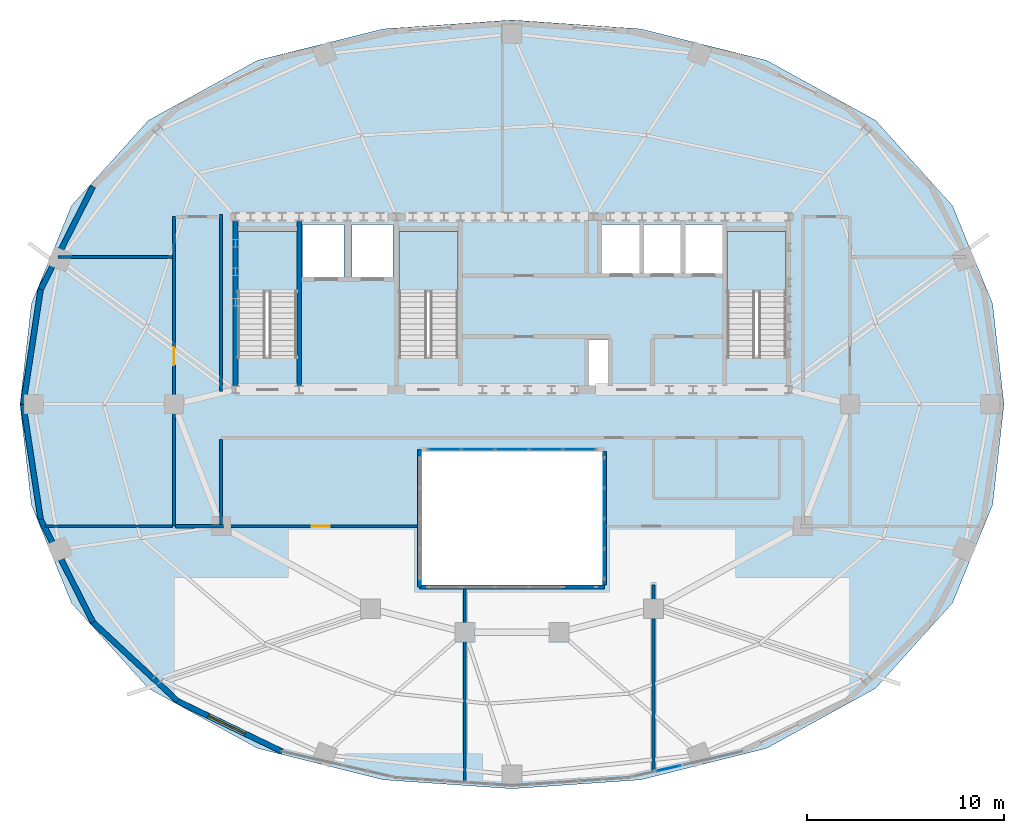
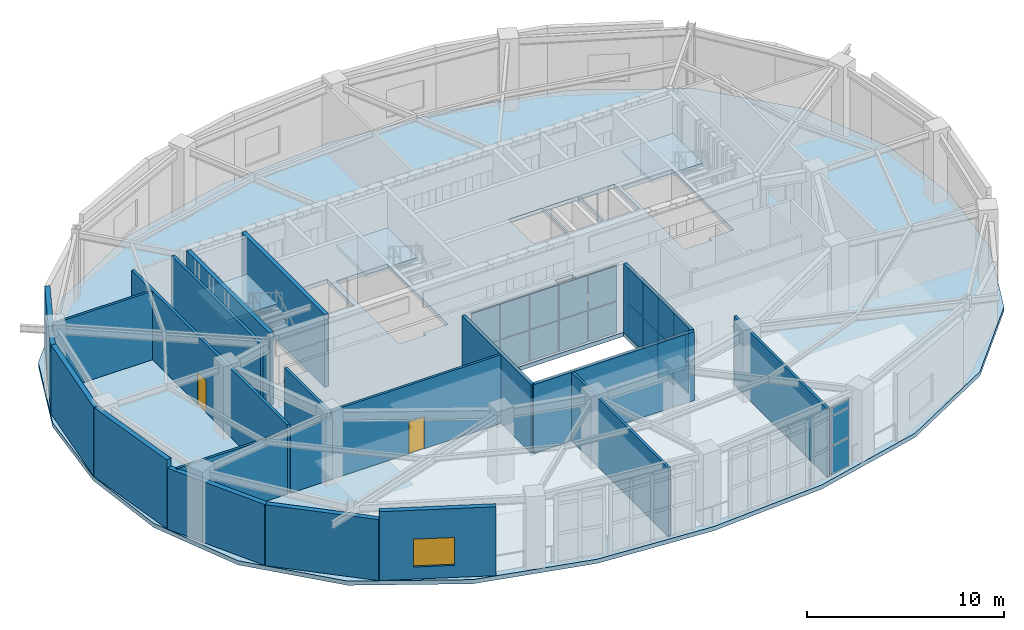
# One storey, part 7 of 11: 22 plates, 20 walls, 4 slabs, 2 doors, 1 window, 3 openings, 7 elements without a shape of their own.
"""IFC4 building model written with IfcOpenShell, lengths in metres."""

from ifc_helpers import new_model, si_unit, direction, frame, frame_2d, origin, origin_2d, place, context, subcontext, project, spatial, polyline, rectangle, outline, extrude, material, layer, layer_set, type_object, element, fill, aggregate, save


model = new_model("IFC4")

# Units and contexts
model_context = context("Model", 3, precision=1e-05, world=origin(), true_north=direction((0.0, 1.0)))
body_context = subcontext(model_context, "Body", "Model", "MODEL_VIEW")
ifc_project = project(units=[si_unit("LENGTHUNIT", "METRE"), si_unit("AREAUNIT", "SQUARE_METRE"), si_unit("VOLUMEUNIT", "CUBIC_METRE"), si_unit("PLANEANGLEUNIT", "RADIAN"), si_unit("MASSUNIT", "GRAM", prefix="KILO")], contexts=[model_context])

# Site, building, storey
site_placement = place(None, origin())
site = spatial("IfcSite", under=ifc_project, at=site_placement, CompositionType="ELEMENT")
building_placement = place(site_placement, origin())
building = spatial("IfcBuilding", under=site, at=building_placement, Name="Haldorwick Loom Tower", CompositionType="ELEMENT")
storey_placement = place(building_placement, frame((0.0, 0.0, 247.800048828125)))
storey = spatial("IfcBuildingStorey", under=building, at=storey_placement, Name="L67", CompositionType="ELEMENT", Elevation=247.800048828125)

# Curtain wall, plate
ifc_material_1 = material(Name="Thermally Broken Anodized Aluminium Curtain Wall Framing", Category="aluminium")
curtain_wall_type_1 = type_object("IfcCurtainWallType", Name="ARC-CW-03", PredefinedType="NOTDEFINED", material=ifc_material_1)
curtain_wall_1_placement = place(storey_placement, origin())
curtain_wall_1 = element("IfcCurtainWall", 1, at=curtain_wall_1_placement, inside=storey, type_object=curtain_wall_type_1, Name="L67 Atrium Glazed Screen S", PredefinedType="NOTDEFINED")
ifc_material_2 = material(Name="Triple-Glazed Low-E Argon Insulated Glazing Unit", Category="glass")
ifc_layer_1 = layer(ifc_material_2, 0.04296875, Name="Triple-Glazed Low-E Argon Insulated Glazing Unit", Category="glass")
ifc_layer_set_1 = layer_set([ifc_layer_1], Name="Triple-Glazed Low-E Argon Insulated Glazing Unit")
plate_type_1 = type_object("IfcPlateType", Name="ARC-CWP-03", PredefinedType="CURTAIN_PANEL", material=ifc_layer_set_1)
plate_1_placement = place(storey_placement, frame((39.423583984375, 16.699951171875, 2.033203125), z_axis=(0.0, 0.0, 1.0), x_axis=(-1.0, 0.0, 0.0)))
plate_1 = element("IfcPlate", 2, at=plate_1_placement, type_object=plate_type_1, Name="CW-03 panel 1.2", PredefinedType="CURTAIN_PANEL", context=body_context, shape_type="SweptSolid", body=[
    extrude(rectangle(XDim=1.62109375, YDim=0.04296875, at=origin_2d()), origin(), (0.0, 0.0, 1.0), 2.160888671875),
])
aggregate(curtain_wall_1, [plate_1])

# Curtain wall, plates
curtain_wall_2_placement = place(storey_placement, origin())
curtain_wall_2 = element("IfcCurtainWall", 3, at=curtain_wall_2_placement, inside=storey, type_object=curtain_wall_type_1, Name="L67 Atrium Glazed Screen N", PredefinedType="NOTDEFINED")
plate_2_placement = place(storey_placement, frame((32.576416015625, 23.699951171875, 0.06591796875), z_axis=(0.0, 0.0, 1.0), x_axis=(1.0, 0.0, 0.0)))
plate_2 = element("IfcPlate", 4, at=plate_2_placement, type_object=plate_type_1, Name="CW-03 panel 1.1", PredefinedType="CURTAIN_PANEL", context=body_context, shape_type="SweptSolid", body=[
    extrude(rectangle(XDim=1.62109375, YDim=0.04296875, at=origin_2d()), origin(), (0.0, 0.0, 1.0), 1.90087890625),
])
plate_3_placement = place(storey_placement, frame((32.576416015625, 23.699951171875, 2.033203125), z_axis=(0.0, 0.0, 1.0), x_axis=(1.0, 0.0, 0.0)))
plate_3 = element("IfcPlate", 5, at=plate_3_placement, type_object=plate_type_1, Name="CW-03 panel 1.2", PredefinedType="CURTAIN_PANEL", context=body_context, shape_type="SweptSolid", body=[
    extrude(rectangle(XDim=1.62109375, YDim=0.04296875, at=origin_2d()), origin(), (0.0, 0.0, 1.0), 2.160888671875),
])
plate_4_placement = place(storey_placement, frame((34.280029296875, 23.699951171875, 0.06591796875), z_axis=(0.0, 0.0, 1.0), x_axis=(1.0, 0.0, 0.0)))
plate_4 = element("IfcPlate", 6, at=plate_4_placement, type_object=plate_type_1, Name="CW-03 panel 2.1", PredefinedType="CURTAIN_PANEL", context=body_context, shape_type="SweptSolid", body=[
    extrude(rectangle(XDim=1.654052734375, YDim=0.04296875, at=origin_2d()), origin(), (0.0, 0.0, 1.0), 1.90087890625),
])
plate_5_placement = place(storey_placement, frame((34.280029296875, 23.699951171875, 2.033203125), z_axis=(0.0, 0.0, 1.0), x_axis=(1.0, 0.0, 0.0)))
plate_5 = element("IfcPlate", 7, at=plate_5_placement, type_object=plate_type_1, Name="CW-03 panel 2.2", PredefinedType="CURTAIN_PANEL", context=body_context, shape_type="SweptSolid", body=[
    extrude(rectangle(XDim=1.654052734375, YDim=0.04296875, at=origin_2d()), origin(), (0.0, 0.0, 1.0), 2.160888671875),
])
plate_6_placement = place(storey_placement, frame((36.0, 23.699951171875, 0.06591796875), z_axis=(0.0, 0.0, 1.0), x_axis=(1.0, 0.0, 0.0)))
plate_6 = element("IfcPlate", 8, at=plate_6_placement, type_object=plate_type_1, Name="CW-03 panel 3.1", PredefinedType="CURTAIN_PANEL", context=body_context, shape_type="SweptSolid", body=[
    extrude(rectangle(XDim=1.654052734375, YDim=0.04296875, at=origin_2d()), origin(), (0.0, 0.0, 1.0), 1.90087890625),
])
plate_7_placement = place(storey_placement, frame((36.0, 23.699951171875, 2.033203125), z_axis=(0.0, 0.0, 1.0), x_axis=(1.0, 0.0, 0.0)))
plate_7 = element("IfcPlate", 9, at=plate_7_placement, type_object=plate_type_1, Name="CW-03 panel 3.2", PredefinedType="CURTAIN_PANEL", context=body_context, shape_type="SweptSolid", body=[
    extrude(rectangle(XDim=1.654052734375, YDim=0.04296875, at=origin_2d()), origin(), (0.0, 0.0, 1.0), 2.160888671875),
])
plate_8_placement = place(storey_placement, frame((37.719970703125, 23.699951171875, 0.06591796875), z_axis=(0.0, 0.0, 1.0), x_axis=(1.0, 0.0, 0.0)))
plate_8 = element("IfcPlate", 10, at=plate_8_placement, type_object=plate_type_1, Name="CW-03 panel 4.1", PredefinedType="CURTAIN_PANEL", context=body_context, shape_type="SweptSolid", body=[
    extrude(rectangle(XDim=1.654052734375, YDim=0.04296875, at=origin_2d()), origin(), (0.0, 0.0, 1.0), 1.90087890625),
])
plate_9_placement = place(storey_placement, frame((37.719970703125, 23.699951171875, 2.033203125), z_axis=(0.0, 0.0, 1.0), x_axis=(1.0, 0.0, 0.0)))
plate_9 = element("IfcPlate", 11, at=plate_9_placement, type_object=plate_type_1, Name="CW-03 panel 4.2", PredefinedType="CURTAIN_PANEL", context=body_context, shape_type="SweptSolid", body=[
    extrude(rectangle(XDim=1.654052734375, YDim=0.04296875, at=origin_2d()), origin(), (0.0, 0.0, 1.0), 2.160888671875),
])
plate_10_placement = place(storey_placement, frame((39.423583984375, 23.699951171875, 0.06591796875), z_axis=(0.0, 0.0, 1.0), x_axis=(1.0, 0.0, 0.0)))
plate_10 = element("IfcPlate", 12, at=plate_10_placement, type_object=plate_type_1, Name="CW-03 panel 5.1", PredefinedType="CURTAIN_PANEL", context=body_context, shape_type="SweptSolid", body=[
    extrude(rectangle(XDim=1.62109375, YDim=0.04296875, at=origin_2d()), origin(), (0.0, 0.0, 1.0), 1.90087890625),
])
plate_11_placement = place(storey_placement, frame((39.423583984375, 23.699951171875, 2.033203125), z_axis=(0.0, 0.0, 1.0), x_axis=(1.0, 0.0, 0.0)))
plate_11 = element("IfcPlate", 13, at=plate_11_placement, type_object=plate_type_1, Name="CW-03 panel 5.2", PredefinedType="CURTAIN_PANEL", context=body_context, shape_type="SweptSolid", body=[
    extrude(rectangle(XDim=1.62109375, YDim=0.04296875, at=origin_2d()), origin(), (0.0, 0.0, 1.0), 2.160888671875),
])
aggregate(curtain_wall_2, [plate_2, plate_3, plate_4, plate_5, plate_6, plate_7, plate_8, plate_9, plate_10, plate_11])

curtain_wall_3_placement = place(storey_placement, origin())
curtain_wall_3 = element("IfcCurtainWall", 14, at=curtain_wall_3_placement, inside=storey, type_object=curtain_wall_type_1, Name="L67 Atrium Glazed Screen E", PredefinedType="NOTDEFINED")
plate_12_placement = place(storey_placement, frame((40.699951171875, 22.508544921875, 0.06591796875), z_axis=(0.0, 0.0, 1.0), x_axis=(0.0, -1.0, 0.0)))
plate_12 = element("IfcPlate", 15, at=plate_12_placement, type_object=plate_type_1, Name="CW-03 panel 1.1", PredefinedType="CURTAIN_PANEL", context=body_context, shape_type="SweptSolid", body=[
    extrude(rectangle(XDim=1.450927734375, YDim=0.04296875, at=origin_2d()), origin(), (0.0, 0.0, 1.0), 1.90087890625),
])
plate_13_placement = place(storey_placement, frame((40.699951171875, 22.508544921875, 2.033203125), z_axis=(0.0, 0.0, 1.0), x_axis=(0.0, -1.0, 0.0)))
plate_13 = element("IfcPlate", 16, at=plate_13_placement, type_object=plate_type_1, Name="CW-03 panel 1.2", PredefinedType="CURTAIN_PANEL", context=body_context, shape_type="SweptSolid", body=[
    extrude(rectangle(XDim=1.450927734375, YDim=0.04296875, at=origin_2d()), origin(), (0.0, 0.0, 1.0), 2.160888671875),
])
plate_14_placement = place(storey_placement, frame((40.699951171875, 20.97509765625, 0.06591796875), z_axis=(0.0, 0.0, 1.0), x_axis=(0.0, -1.0, 0.0)))
plate_14 = element("IfcPlate", 17, at=plate_14_placement, type_object=plate_type_1, Name="CW-03 panel 2.1", PredefinedType="CURTAIN_PANEL", context=body_context, shape_type="SweptSolid", body=[
    extrude(rectangle(XDim=1.48388671875, YDim=0.04296875, at=origin_2d()), origin(), (0.0, 0.0, 1.0), 1.90087890625),
])
plate_15_placement = place(storey_placement, frame((40.699951171875, 20.97509765625, 2.033203125), z_axis=(0.0, 0.0, 1.0), x_axis=(0.0, -1.0, 0.0)))
plate_15 = element("IfcPlate", 18, at=plate_15_placement, type_object=plate_type_1, Name="CW-03 panel 2.2", PredefinedType="CURTAIN_PANEL", context=body_context, shape_type="SweptSolid", body=[
    extrude(rectangle(XDim=1.48388671875, YDim=0.04296875, at=origin_2d()), origin(), (0.0, 0.0, 1.0), 2.160888671875),
])
plate_16_placement = place(storey_placement, frame((40.699951171875, 19.425048828125, 0.06591796875), z_axis=(0.0, 0.0, 1.0), x_axis=(0.0, -1.0, 0.0)))
plate_16 = element("IfcPlate", 19, at=plate_16_placement, type_object=plate_type_1, Name="CW-03 panel 3.1", PredefinedType="CURTAIN_PANEL", context=body_context, shape_type="SweptSolid", body=[
    extrude(rectangle(XDim=1.48388671875, YDim=0.04296875, at=origin_2d()), origin(), (0.0, 0.0, 1.0), 1.90087890625),
])
plate_17_placement = place(storey_placement, frame((40.699951171875, 19.425048828125, 2.033203125), z_axis=(0.0, 0.0, 1.0), x_axis=(0.0, -1.0, 0.0)))
plate_17 = element("IfcPlate", 20, at=plate_17_placement, type_object=plate_type_1, Name="CW-03 panel 3.2", PredefinedType="CURTAIN_PANEL", context=body_context, shape_type="SweptSolid", body=[
    extrude(rectangle(XDim=1.48388671875, YDim=0.04296875, at=origin_2d()), origin(), (0.0, 0.0, 1.0), 2.160888671875),
])
plate_18_placement = place(storey_placement, frame((40.699951171875, 17.8916015625, 0.06591796875), z_axis=(0.0, 0.0, 1.0), x_axis=(0.0, -1.0, 0.0)))
plate_18 = element("IfcPlate", 21, at=plate_18_placement, type_object=plate_type_1, Name="CW-03 panel 4.1", PredefinedType="CURTAIN_PANEL", context=body_context, shape_type="SweptSolid", body=[
    extrude(rectangle(XDim=1.450927734375, YDim=0.04296875, at=origin_2d()), origin(), (0.0, 0.0, 1.0), 1.90087890625),
])
plate_19_placement = place(storey_placement, frame((40.699951171875, 17.8916015625, 2.033203125), z_axis=(0.0, 0.0, 1.0), x_axis=(0.0, -1.0, 0.0)))
plate_19 = element("IfcPlate", 22, at=plate_19_placement, type_object=plate_type_1, Name="CW-03 panel 4.2", PredefinedType="CURTAIN_PANEL", context=body_context, shape_type="SweptSolid", body=[
    extrude(rectangle(XDim=1.450927734375, YDim=0.04296875, at=origin_2d()), origin(), (0.0, 0.0, 1.0), 2.160888671875),
])
aggregate(curtain_wall_3, [plate_12, plate_13, plate_14, plate_15, plate_16, plate_17, plate_18, plate_19])

curtain_wall_type_2 = type_object("IfcCurtainWallType", Name="ARC-CW-05", PredefinedType="NOTDEFINED", material=ifc_material_1)
curtain_wall_4_placement = place(storey_placement, origin())
curtain_wall_4 = element("IfcCurtainWall", 23, at=curtain_wall_4_placement, inside=storey, type_object=curtain_wall_type_2, Name="L67 Facade Curtain Wall CW-05 Bay 20", PredefinedType="NOTDEFINED")
ifc_layer_2 = layer(ifc_material_2, 0.049072265625, Name="Triple-Glazed Low-E Argon Insulated Glazing Unit", Category="glass")
ifc_layer_set_2 = layer_set([ifc_layer_2], Name="Triple-Glazed Low-E Argon Insulated Glazing Unit")
plate_type_2 = type_object("IfcPlateType", Name="ARC-CWP-05", PredefinedType="CURTAIN_PANEL", material=ifc_layer_set_2)
plate_20_placement = place(storey_placement, frame((43.9677734375, 7.476806640625, 0.06787109375), z_axis=(0.0, 0.0, 1.0), x_axis=(0.974600956604, 0.223948599878, 0.0)))
plate_20 = element("IfcPlate", 24, at=plate_20_placement, type_object=plate_type_2, Name="CW-05 panel 2.1", PredefinedType="CURTAIN_PANEL", context=body_context, shape_type="SweptSolid", body=[
    extrude(rectangle(XDim=1.217041015625, YDim=0.049072265625, at=origin_2d()), origin(), (0.0, 0.0, 1.0), 1.748046875),
])
plate_21_placement = place(storey_placement, frame((43.9677734375, 7.476806640625, 1.8837890625), z_axis=(0.0, 0.0, 1.0), x_axis=(0.974600956604, 0.223948599878, 0.0)))
plate_21 = element("IfcPlate", 25, at=plate_21_placement, type_object=plate_type_2, Name="CW-05 panel 2.2", PredefinedType="CURTAIN_PANEL", context=body_context, shape_type="SweptSolid", body=[
    extrude(rectangle(XDim=1.217041015625, YDim=0.049072265625, at=origin_2d()), origin(), (0.0, 0.0, 1.0), 1.781982421875),
])
plate_22_placement = place(storey_placement, frame((43.9677734375, 7.476806640625, 3.73388671875), z_axis=(0.0, 0.0, 1.0), x_axis=(0.974600956604, 0.223948599878, 0.0)))
plate_22 = element("IfcPlate", 26, at=plate_22_placement, type_object=plate_type_2, Name="CW-05 panel 2.3", PredefinedType="CURTAIN_PANEL", context=body_context, shape_type="SweptSolid", body=[
    extrude(rectangle(XDim=1.217041015625, YDim=0.049072265625, at=origin_2d()), origin(), (0.0, 0.0, 1.0), 0.4580078125),
])
aggregate(curtain_wall_4, [plate_20, plate_21, plate_22])

# Slab
ifc_material_3 = material(Name="Concrete C40 (40 MPa)", Category="concrete")
ifc_layer_3 = layer(ifc_material_3, 0.260009765625, Name="Concrete C40 (40 MPa)", Category="concrete")
ifc_layer_set_3 = layer_set([ifc_layer_3], Name="Concrete C40 (40 MPa)")
slab_type_1 = type_object("IfcSlabType", Name="STR-SLB-COMM260", PredefinedType="FLOOR", material=ifc_layer_set_3)
slab_1_placement = place(storey_placement, frame((0.0, 0.0, -0.260009765625)))
element("IfcSlab", 27, at=slab_1_placement, inside=storey, type_object=slab_type_1, Name="L67 Community Sky-Floor Slab", PredefinedType="FLOOR", context=body_context, shape_type="SweptSolid", body=[
    extrude(outline(polyline([(54.500244140625, 11.546630859375), (58.4140625, 15.889892578125), (60.455810546875, 20.880615234375), (61.036865234375, 26.0), (60.455810546875, 31.119384765625), (58.4140625, 36.110107421875), (54.500244140625, 40.453369140625), (48.94091796875, 43.510986328125), (42.552978515625, 45.10595703125), (36.0, 45.56005859375), (29.447021484375, 45.10595703125), (23.05908203125, 43.510986328125), (17.499755859375, 40.453369140625), (13.5859375, 36.110107421875), (11.544189453125, 31.119384765625), (10.963134765625, 26.0), (11.544189453125, 20.880615234375), (13.5859375, 15.889892578125), (17.499755859375, 11.546630859375), (23.05908203125, 8.489013671875), (29.447021484375, 6.89404296875), (36.0, 6.43994140625), (42.552978515625, 6.89404296875), (48.94091796875, 8.489013671875), (54.500244140625, 11.546630859375)]), holes=[polyline([(31.39990234375, 16.800048828125), (31.39990234375, 23.60009765625), (40.60009765625, 23.60009765625), (40.60009765625, 16.800048828125), (31.39990234375, 16.800048828125)]), polyline([(40.89990234375, 26.89990234375), (39.89990234375, 26.89990234375), (39.89990234375, 29.300048828125), (40.89990234375, 29.300048828125), (40.89990234375, 26.89990234375)]), polyline([(23.6201171875, 28.39990234375), (22.050048828125, 28.39990234375), (22.050048828125, 34.800048828125), (25.050048828125, 34.800048828125), (25.050048828125, 28.639892578125), (23.6201171875, 28.639892578125), (23.6201171875, 28.39990234375)]), polyline([(30.25, 28.39990234375), (30.25, 34.800048828125), (33.25, 34.800048828125), (33.25, 28.639892578125), (31.820068359375, 28.639892578125), (31.820068359375, 28.39990234375), (30.25, 28.39990234375)]), polyline([(46.949951171875, 28.39990234375), (46.949951171875, 34.800048828125), (49.949951171875, 34.800048828125), (49.949951171875, 28.639892578125), (48.52001953125, 28.639892578125), (48.52001953125, 28.39990234375), (46.949951171875, 28.39990234375)]), polyline([(27.449951171875, 32.449951171875), (25.35009765625, 32.449951171875), (25.35009765625, 35.14990234375), (27.449951171875, 35.14990234375), (27.449951171875, 32.449951171875)]), polyline([(29.949951171875, 32.449951171875), (27.85009765625, 32.449951171875), (27.85009765625, 35.14990234375), (29.949951171875, 35.14990234375), (29.949951171875, 32.449951171875)]), polyline([(42.550048828125, 32.64990234375), (40.550048828125, 32.64990234375), (40.550048828125, 35.14990234375), (42.550048828125, 35.14990234375), (42.550048828125, 32.64990234375)]), polyline([(42.64990234375, 32.64990234375), (42.64990234375, 35.14990234375), (44.64990234375, 35.14990234375), (44.64990234375, 32.64990234375), (42.64990234375, 32.64990234375)]), polyline([(44.75, 32.64990234375), (44.75, 35.14990234375), (46.75, 35.14990234375), (46.75, 32.64990234375), (44.75, 32.64990234375)])]), origin(), (0.0, 0.0, 1.0), 0.260009765625),
])

# Stair, slab
stair_type = type_object("IfcStairType", Name="STR-STR-CORE", PredefinedType="HALF_TURN_STAIR", material=ifc_material_3)
stair_1_placement = place(storey_placement, origin())
stair_1 = element("IfcStair", 28, at=stair_1_placement, inside=storey, type_object=stair_type, Name="L67 Exit Stair ST-01", PredefinedType="HALF_TURN_STAIR")
ifc_layer_4 = layer(ifc_material_3, 0.199951171875, Name="Concrete C40 (40 MPa)", Category="concrete")
ifc_layer_set_4 = layer_set([ifc_layer_4], Name="Concrete C40 (40 MPa)")
slab_type_2 = type_object("IfcSlabType", Name="STR-SLB-LAND200", PredefinedType="LANDING", material=ifc_layer_set_4)
slab_2_placement = place(storey_placement, frame((0.0, 0.0, 2.050048828125)))
slab_2 = element("IfcSlab", 29, at=slab_2_placement, type_object=slab_type_2, Name="ST-01 landing 1", PredefinedType="LANDING", context=body_context, shape_type="SweptSolid", body=[
    extrude(outline(polyline([(25.050048828125, 31.760009765625), (25.050048828125, 34.800048828125), (22.050048828125, 34.800048828125), (22.050048828125, 31.760009765625), (25.050048828125, 31.760009765625)])), origin(), (0.0, 0.0, 1.0), 0.199951171875),
])
aggregate(stair_1, [slab_2])

stair_2_placement = place(storey_placement, origin())
stair_2 = element("IfcStair", 30, at=stair_2_placement, inside=storey, type_object=stair_type, Name="L67 Exit Stair ST-02", PredefinedType="HALF_TURN_STAIR")
slab_3_placement = place(storey_placement, frame((0.0, 0.0, 2.050048828125)))
slab_3 = element("IfcSlab", 31, at=slab_3_placement, type_object=slab_type_2, Name="ST-02 landing 1", PredefinedType="LANDING", context=body_context, shape_type="SweptSolid", body=[
    extrude(outline(polyline([(49.949951171875, 31.760009765625), (49.949951171875, 34.800048828125), (46.949951171875, 34.800048828125), (46.949951171875, 31.760009765625), (49.949951171875, 31.760009765625)])), origin(), (0.0, 0.0, 1.0), 0.199951171875),
])
aggregate(stair_2, [slab_3])

stair_3_placement = place(storey_placement, origin())
stair_3 = element("IfcStair", 32, at=stair_3_placement, inside=storey, type_object=stair_type, Name="L67 Exit Stair ST-03", PredefinedType="HALF_TURN_STAIR")
slab_4_placement = place(storey_placement, frame((0.0, 0.0, 2.050048828125)))
slab_4 = element("IfcSlab", 33, at=slab_4_placement, type_object=slab_type_2, Name="ST-03 landing 1", PredefinedType="LANDING", context=body_context, shape_type="SweptSolid", body=[
    extrude(outline(polyline([(33.25, 31.760009765625), (33.25, 34.800048828125), (30.25, 34.800048828125), (30.25, 31.760009765625), (33.25, 31.760009765625)])), origin(), (0.0, 0.0, 1.0), 0.199951171875),
])
aggregate(stair_3, [slab_4])

# Walls
ifc_material_4 = material(Name="Pressed Clay Face Brick and Insulated Masonry Backup Assembly", Category="masonry")
ifc_layer_5 = layer(ifc_material_4, 0.280029296875, Name="Pressed Clay Face Brick and Insulated Masonry Backup Assembly", Category="masonry")
ifc_layer_set_5 = layer_set([ifc_layer_5], Name="Pressed Clay Face Brick and Insulated Masonry Backup Assembly")
wall_type_1 = type_object("IfcWallType", Name="ARC-WL-EXT280", PredefinedType="STANDARD", material=ifc_layer_set_5)
wall_1_placement = place(storey_placement, frame((14.677490234375, 37.08984375, 0.0), z_axis=(0.0, 0.0, 1.0), x_axis=(-0.453100705059, -0.89145933787, 0.0)))
element("IfcWall", 34, at=wall_1_placement, inside=storey, type_object=wall_type_1, Name="L67 Brick Pier and Spandrel Wall 11", PredefinedType="STANDARD", context=body_context, shape_type="SweptSolid", body=[
    extrude(rectangle(XDim=5.879150390625, YDim=0.280029296875, at=frame_2d((2.939453125, 0.0))), origin(), (0.0, 0.0, 1.0), 3.76904296875),
])
for number, where, z_axis, x_axis, name in (
    (35, (12.013671875, 31.848876953125, 0.0), (0.0, 0.0, 1.0), (-0.150497234153, -0.988610430105, 0.0), "L67 Brick Pier and Spandrel Wall 12"),
    (36, (11.123291015625, 26.0, 0.0), (0.0, 0.0, 1.0), (0.150497234153, -0.988610430105, 0.0), "L67 Brick Pier and Spandrel Wall 13"),
):
    element("IfcWall", number, at=place(storey_placement, frame(where, z_axis=z_axis, x_axis=x_axis)), inside=storey, type_object=wall_type_1, Name=name, PredefinedType="STANDARD", context=body_context, shape_type="SweptSolid", body=[
        extrude(rectangle(XDim=5.916259765625, YDim=0.280029296875, at=frame_2d((2.9580078125, 0.0))), origin(), (0.0, 0.0, 1.0), 4.260009765625),
    ])
wall_2_placement = place(storey_placement, frame((12.013671875, 20.151123046875, 0.0), z_axis=(0.0, 0.0, 1.0), x_axis=(0.453100705059, -0.89145933787, 0.0)))
element("IfcWall", 37, at=wall_2_placement, inside=storey, type_object=wall_type_1, Name="L67 Brick Pier and Spandrel Wall 14", PredefinedType="STANDARD", context=body_context, shape_type="SweptSolid", body=[
    extrude(rectangle(XDim=5.879150390625, YDim=0.280029296875, at=frame_2d((2.939453125, 0.0))), origin(), (0.0, 0.0, 1.0), 3.76904296875),
])
wall_3_placement = place(storey_placement, frame((14.677490234375, 14.91015625, 0.0), z_axis=(0.0, 0.0, 1.0), x_axis=(0.731924682982, -0.68138554317, 0.0)))
element("IfcWall", 38, at=wall_3_placement, inside=storey, type_object=wall_type_1, Name="L67 Brick Pier and Spandrel Wall 15", PredefinedType="STANDARD", context=body_context, shape_type="SweptSolid", body=[
    extrude(rectangle(XDim=5.87890625, YDim=0.280029296875, at=frame_2d((2.939453125, 0.0))), origin(), (0.0, 0.0, 1.0), 3.76904296875),
])

# Wall, opening, window
wall_4_placement = place(storey_placement, frame((18.98046875, 10.904296875, 0.0), z_axis=(0.0, 0.0, 1.0), x_axis=(0.900481907967, -0.434893473651, 0.0)))
wall_4 = element("IfcWall", 39, at=wall_4_placement, inside=storey, type_object=wall_type_1, Name="L67 Brick Pier and Spandrel Wall 16", PredefinedType="STANDARD", context=body_context, shape_type="SweptSolid", body=[
    extrude(rectangle(XDim=5.90966796875, YDim=0.280029296875, at=frame_2d((2.954833984375, 0.0))), origin(), (0.0, 0.0, 1.0), 4.260009765625),
])
opening_1_placement = place(wall_4_placement, frame((1.72412109375, 0.0, 0.75)))
opening_1 = element("IfcOpeningElement", 40, at=opening_1_placement, cuts=wall_4, Name="Opening W-04", PredefinedType="OPENING", context=body_context, shape_type="SweptSolid", body=[
    extrude(rectangle(XDim=2.10009765625, YDim=1.719970703125, at=frame_2d((1.050048828125, 0.85986328125))), frame((0.0, 0.14990234375, 0.0), z_axis=(0.0, -1.0, 0.0), x_axis=(1.0, 0.0, 0.0)), (0.0, 0.0, 1.0), 0.300048828125),
])
window_type = type_object("IfcWindowType", Name="ARC-WIN-W210", PartitioningType="SINGLE_PANEL", PredefinedType="WINDOW", material=ifc_material_2)
window_placement = place(opening_1_placement, origin())
window = element("IfcWindow", 41, at=window_placement, inside=storey, type_object=window_type, Name="L67 Deep-Set Zone 7A Window 16", OverallHeight=1.719970703125, OverallWidth=2.10009765625, PartitioningType="SINGLE_PANEL", PredefinedType="WINDOW", context=body_context, shape_type="SweptSolid", body=[
    extrude(rectangle(XDim=2.10009765625, YDim=1.719970703125, at=frame_2d((1.050048828125, 0.85986328125))), frame((0.0, 0.030029296875, 0.0), z_axis=(0.0, -1.0, 0.0), x_axis=(1.0, 0.0, 0.0)), (0.0, 0.0, 1.0), 0.06005859375),
])
fill(opening_1, window)

# Wall, opening, door
ifc_material_5 = material(Name="Fire-Rated Type X Gypsum Stud Assembly EI 60")
ifc_layer_6 = layer(ifc_material_5, 0.159912109375, Name="Fire-Rated Type X Gypsum Stud Assembly EI 60")
ifc_layer_set_6 = layer_set([ifc_layer_6], Name="Fire-Rated Type X Gypsum Stud Assembly EI 60")
wall_type_2 = type_object("IfcWallType", Name="ARC-WL-FIRE160", PredefinedType="PARTITIONING", material=ifc_layer_set_6)
wall_5_placement = place(storey_placement, frame((18.800048828125, 19.800048828125, 0.0), z_axis=(0.0, 0.0, 1.0), x_axis=(0.0, 1.0, 0.0)))
wall_5 = element("IfcWall", 42, at=wall_5_placement, inside=storey, type_object=wall_type_2, Name="L67 Interior Partition L67-CW0", PredefinedType="PARTITIONING", context=body_context, shape_type="SweptSolid", body=[
    extrude(rectangle(XDim=15.75, YDim=0.159912109375, at=frame_2d((7.875, 0.0))), origin(), (0.0, 0.0, 1.0), 4.244873046875),
])
opening_2_placement = place(wall_5_placement, frame((8.19482421875, 0.0, 0.0)))
opening_2 = element("IfcOpeningElement", 43, at=opening_2_placement, cuts=wall_5, Name="Opening D-FD60A", PredefinedType="OPENING", context=body_context, shape_type="SweptSolid", body=[
    extrude(rectangle(XDim=0.89990234375, YDim=2.0, at=frame_2d((0.449951171875, 1.0))), frame((0.0, 0.08984375, 0.0), z_axis=(0.0, -1.0, 0.0), x_axis=(1.0, 0.0, 0.0)), (0.0, 0.0, 1.0), 0.179931640625),
])
ifc_material_6 = material(Name="Hollow Steel Fire Door Assembly", Category="steel")
door_type = type_object("IfcDoorType", Name="ARC-DR-FD60-90", OperationType="NOTDEFINED", PredefinedType="DOOR", material=ifc_material_6)
door_1_placement = place(opening_2_placement, frame((0.89990234375, 0.0, 0.0), z_axis=(0.0, 0.0, 1.0), x_axis=(-1.0, 0.0, 0.0)))
door_1 = element("IfcDoor", 44, at=door_1_placement, inside=storey, type_object=door_type, Name="L67 High-Zone Arts Studio 6 to L67 Central Transfer Corridor Door", OperationType="SINGLE_SWING_RIGHT", OverallHeight=2.0, OverallWidth=0.89990234375, PredefinedType="DOOR", context=body_context, shape_type="SweptSolid", body=[
    extrude(rectangle(XDim=0.89990234375, YDim=2.0, at=frame_2d((0.449951171875, 1.0))), frame((0.0, 0.02490234375, 0.0), z_axis=(0.0, -1.0, 0.0), x_axis=(1.0, 0.0, 0.0)), (0.0, 0.0, 1.0), 0.050048828125),
])
fill(opening_2, door_1)

# Walls
wall_6_placement = place(storey_placement, frame((18.883056640625, 19.800048828125, 0.0), z_axis=(0.0, 0.0, 1.0), x_axis=(1.0, 0.0, 0.0)))
element("IfcWall", 45, at=wall_6_placement, inside=storey, type_object=wall_type_2, Name="L67 Interior Partition L67-CWS", PredefinedType="PARTITIONING", context=body_context, shape_type="SweptSolid", body=[
    extrude(rectangle(XDim=2.43701171875, YDim=0.159912109375, at=frame_2d((1.218505859375, 0.0))), origin(), (0.0, 0.0, 1.0), 3.822021484375),
])
wall_7_placement = place(storey_placement, frame((21.199951171875, 19.883056640625, 0.0), z_axis=(0.0, 0.0, 1.0), x_axis=(0.0, 1.0, 0.0)))
element("IfcWall", 46, at=wall_7_placement, inside=storey, type_object=wall_type_2, Name="L67 Interior Partition L67-CW1", PredefinedType="PARTITIONING", context=body_context, shape_type="SweptSolid", body=[
    extrude(rectangle(XDim=4.333984375, YDim=0.159912109375, at=frame_2d((2.1669921875, 0.0))), origin(), (0.0, 0.0, 1.0), 4.244873046875),
])
wall_8_placement = place(storey_placement, frame((21.199951171875, 26.64990234375, 0.0), z_axis=(0.0, 0.0, 1.0), x_axis=(0.0, 1.0, 0.0)))
element("IfcWall", 47, at=wall_8_placement, inside=storey, type_object=wall_type_2, Name="L67 Interior Partition L67-CW2", PredefinedType="PARTITIONING", context=body_context, shape_type="SweptSolid", body=[
    extrude(rectangle(XDim=9.0, YDim=0.159912109375, at=frame_2d((4.5, 0.0))), origin(), (0.0, 0.0, 1.0), 4.244873046875),
])
ifc_material_7 = material(Name="Fire-Rated Type X Gypsum Stud Assembly EI 120")
ifc_layer_7 = layer(ifc_material_7, 0.199951171875, Name="Fire-Rated Type X Gypsum Stud Assembly EI 120")
ifc_layer_set_7 = layer_set([ifc_layer_7], Name="Fire-Rated Type X Gypsum Stud Assembly EI 120")
wall_type_3 = type_object("IfcWallType", Name="ARC-WL-FIRE200", PredefinedType="PARTITIONING", material=ifc_layer_set_7)
wall_9_placement = place(storey_placement, frame((40.699951171875, 16.699951171875, 0.0), z_axis=(0.0, 0.0, 1.0), x_axis=(-1.0, 0.0, 0.0)))
element("IfcWall", 48, at=wall_9_placement, inside=storey, type_object=wall_type_3, Name="L67 Atrium Fire Wall", PredefinedType="PARTITIONING", context=body_context, shape_type="SweptSolid", body=[
    extrude(rectangle(XDim=9.39990234375, YDim=0.199951171875, at=frame_2d((4.699951171875, 0.0))), origin(), (0.0, 0.0, 1.0), 4.244873046875),
])
wall_10_placement = place(storey_placement, frame((31.300048828125, 16.699951171875, 0.0), z_axis=(0.0, 0.0, 1.0), x_axis=(0.0, 1.0, 0.0)))
element("IfcWall", 49, at=wall_10_placement, inside=storey, type_object=wall_type_3, Name="L67 Atrium Fire Wall", PredefinedType="PARTITIONING", context=body_context, shape_type="SweptSolid", body=[
    extrude(rectangle(XDim=7.0, YDim=0.199951171875, at=frame_2d((3.5, 0.0))), origin(), (0.0, 0.0, 1.0), 4.244873046875),
])
wall_11_placement = place(storey_placement, frame((40.699951171875, 23.596923828125, 0.0), z_axis=(0.0, 0.0, 1.0), x_axis=(0.0, -1.0, 0.0)))
element("IfcWall", 50, at=wall_11_placement, inside=storey, type_object=wall_type_3, Name="L67 Atrium Fire Wall", PredefinedType="PARTITIONING", context=body_context, shape_type="SweptSolid", body=[
    extrude(rectangle(XDim=6.7939453125, YDim=0.199951171875, at=frame_2d((3.39697265625, 0.0))), origin(), (0.0, 0.0, 1.0), 4.244873046875),
])
ifc_layer_8 = layer(ifc_material_5, 0.139892578125, Name="Fire-Rated Type X Gypsum Stud Assembly EI 60")
ifc_layer_set_8 = layer_set([ifc_layer_8], Name="Fire-Rated Type X Gypsum Stud Assembly EI 60")
wall_type_4 = type_object("IfcWallType", Name="ARC-WL-PART140", PredefinedType="PARTITIONING", material=ifc_layer_set_8)
wall_12_placement = place(storey_placement, frame((33.60009765625, 6.809814453125, 0.0), z_axis=(0.0, 0.0, 1.0), x_axis=(0.0, 1.0, 0.0)))
element("IfcWall", 51, at=wall_12_placement, inside=storey, type_object=wall_type_4, Name="L67 Interior Partition L67-S-0", PredefinedType="PARTITIONING", context=body_context, shape_type="SweptSolid", body=[
    extrude(rectangle(XDim=9.787109375, YDim=0.139892578125, at=frame_2d((4.8935546875, 0.0))), origin(), (0.0, 0.0, 1.0), 4.244873046875),
])
wall_13_placement = place(storey_placement, frame((43.199951171875, 7.3466796875, 0.0), z_axis=(0.0, 0.0, 1.0), x_axis=(0.0, 1.0, 0.0)))
element("IfcWall", 52, at=wall_13_placement, inside=storey, type_object=wall_type_4, Name="L67 Interior Partition L67-S-1", PredefinedType="PARTITIONING", context=body_context, shape_type="SweptSolid", body=[
    extrude(rectangle(XDim=9.453369140625, YDim=0.139892578125, at=frame_2d((4.7265625, 0.0))), origin(), (0.0, 0.0, 1.0), 4.244873046875),
])
wall_14_placement = place(storey_placement, frame((12.24267578125, 19.800048828125, 0.0), z_axis=(0.0, 0.0, 1.0), x_axis=(1.0, 0.0, 0.0)))
element("IfcWall", 53, at=wall_14_placement, inside=storey, type_object=wall_type_4, Name="L67 Interior Partition L67-WL-S", PredefinedType="PARTITIONING", context=body_context, shape_type="SweptSolid", body=[
    extrude(rectangle(XDim=6.474365234375, YDim=0.139892578125, at=frame_2d((3.2373046875, 0.0))), origin(), (0.0, 0.0, 1.0), 3.822021484375),
])

# Wall, opening, door
wall_15_placement = place(storey_placement, frame((21.320068359375, 19.800048828125, 0.0), z_axis=(0.0, 0.0, 1.0), x_axis=(1.0, 0.0, 0.0)))
wall_15 = element("IfcWall", 54, at=wall_15_placement, inside=storey, type_object=wall_type_4, Name="L67 Interior Partition L67-WL-S", PredefinedType="PARTITIONING", context=body_context, shape_type="SweptSolid", body=[
    extrude(rectangle(XDim=9.876953125, YDim=0.139892578125, at=frame_2d((4.9384765625, 0.0))), origin(), (0.0, 0.0, 1.0), 4.244873046875),
])
opening_3_placement = place(wall_15_placement, frame((4.49853515625, 0.0, 0.0)))
opening_3 = element("IfcOpeningElement", 55, at=opening_3_placement, cuts=wall_15, Name="Opening D-FD60A", PredefinedType="OPENING", context=body_context, shape_type="SweptSolid", body=[
    extrude(rectangle(XDim=0.89990234375, YDim=2.0, at=frame_2d((0.449951171875, 1.0))), frame((0.0, 0.079833984375, 0.0), z_axis=(0.0, -1.0, 0.0), x_axis=(1.0, 0.0, 0.0)), (0.0, 0.0, 1.0), 0.159912109375),
])
door_2_placement = place(opening_3_placement, origin())
door_2 = element("IfcDoor", 56, at=door_2_placement, inside=storey, type_object=door_type, Name="L67 Sky Reading Salon 3 to Music Recital Hall 2 Door", OperationType="SINGLE_SWING_LEFT", OverallHeight=2.0, OverallWidth=0.89990234375, PredefinedType="DOOR", context=body_context, shape_type="SweptSolid", body=[
    extrude(rectangle(XDim=0.89990234375, YDim=2.0, at=frame_2d((0.449951171875, 1.0))), frame((0.0, 0.02490234375, 0.0), z_axis=(0.0, -1.0, 0.0), x_axis=(1.0, 0.0, 0.0)), (0.0, 0.0, 1.0), 0.050048828125),
])
fill(opening_3, door_2)

# Walls
wall_16_placement = place(storey_placement, frame((12.9033203125, 33.5, 0.0), z_axis=(0.0, 0.0, 1.0), x_axis=(1.0, 0.0, 0.0)))
element("IfcWall", 57, at=wall_16_placement, inside=storey, type_object=wall_type_4, Name="L67 Interior Partition L67-WL-N", PredefinedType="PARTITIONING", context=body_context, shape_type="SweptSolid", body=[
    extrude(rectangle(XDim=5.813720703125, YDim=0.139892578125, at=frame_2d((2.90673828125, 0.0))), origin(), (0.0, 0.0, 1.0), 4.244873046875),
])
ifc_material_8 = material(Name="Concrete C50 (50 MPa)", Category="concrete")
ifc_layer_9 = layer(ifc_material_8, 0.239990234375, Name="Concrete C50 (50 MPa)", Category="concrete")
ifc_layer_set_9 = layer_set([ifc_layer_9], Name="Concrete C50 (50 MPa)")
wall_type_5 = type_object("IfcWallType", Name="STR-WL-SHAFT240", PredefinedType="SHEAR", material=ifc_layer_set_9)
for number, where, z_axis, x_axis, name in (
    (58, (21.929931640625, 35.346923828125, 0.0), (0.0, 0.0, 1.0), (0.0, -1.0, 0.0), "L67 Core Shear Wall W"),
    (59, (25.169921875, 26.952880859375, 0.0), (0.0, 0.0, 1.0), (0.0, 1.0, 0.0), "L67 Core Shear Wall 1"),
):
    element("IfcWall", number, at=place(storey_placement, frame(where, z_axis=z_axis, x_axis=x_axis)), inside=storey, type_object=wall_type_5, Name=name, PredefinedType="SHEAR", context=body_context, shape_type="SweptSolid", body=[
        extrude(rectangle(XDim=8.39404296875, YDim=0.239990234375, at=frame_2d((4.197021484375, 0.0))), origin(), (0.0, 0.0, 1.0), 4.5),
    ])

save(model, "model.ifc")
